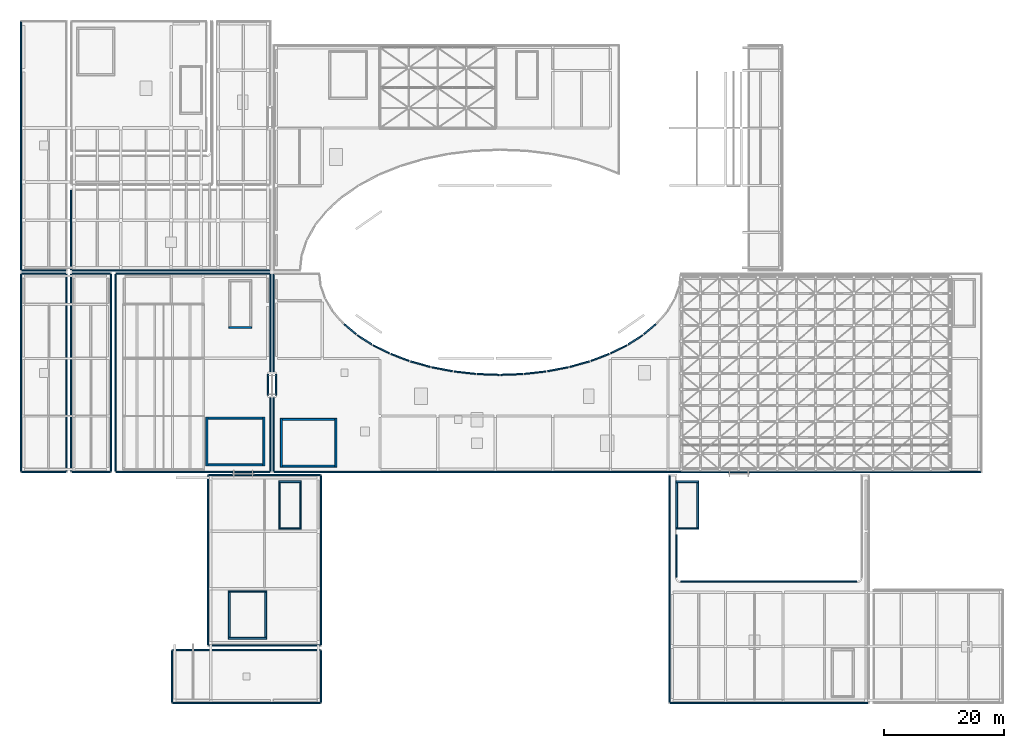
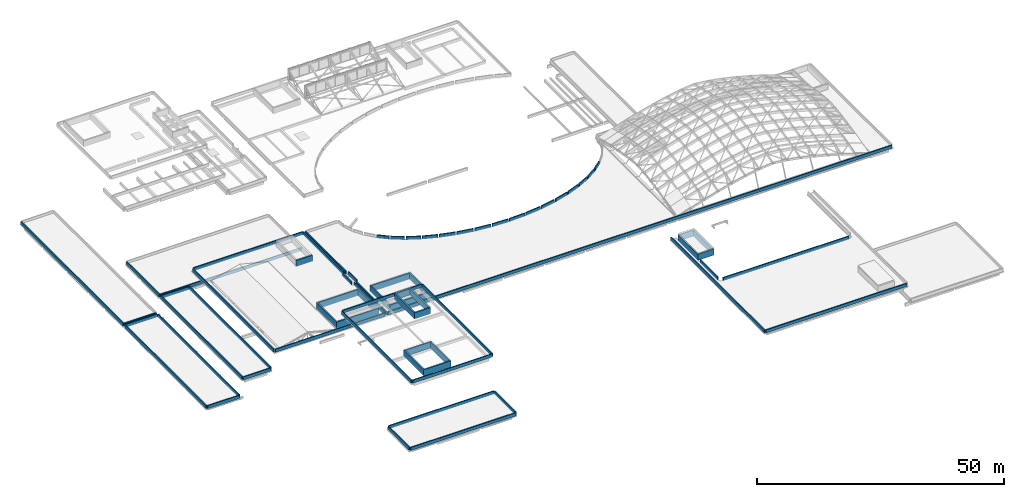
# One storey, part 37 of 40: 71 walls.
"""IFC4 building model written with IfcOpenShell, lengths in metres."""

from ifc_helpers import new_model, si_unit, direction, frame, frame_2d, origin, place, context, subcontext, project, spatial, rectangle, extrude, material, layer, layer_set, type_object, element, save


model = new_model("IFC4")

# Units and contexts
model_context = context("Model", 3, precision=1e-05, world=origin(), true_north=direction((0.0, 1.0)))
body_context = subcontext(model_context, "Body", "Model", "MODEL_VIEW")
ifc_project = project(units=[si_unit("LENGTHUNIT", "METRE"), si_unit("AREAUNIT", "SQUARE_METRE"), si_unit("VOLUMEUNIT", "CUBIC_METRE"), si_unit("PLANEANGLEUNIT", "RADIAN"), si_unit("MASSUNIT", "GRAM", prefix="KILO")], contexts=[model_context])

# Site, building, storey
site_placement = place(None, origin())
site = spatial("IfcSite", under=ifc_project, at=site_placement, CompositionType="ELEMENT")
building_placement = place(site_placement, origin())
building = spatial("IfcBuilding", under=site, at=building_placement, Name="Mzevani Central Library", CompositionType="ELEMENT")
storey_placement = place(building_placement, frame((0.0, 0.0, 26.699951171875)))
storey = spatial("IfcBuildingStorey", under=building, at=storey_placement, Name="RF", CompositionType="ELEMENT", Elevation=26.699951171875)

# Walls
ifc_material = material(Name="Precast concrete C40/50", Category="concrete")
ifc_layer_1 = layer(ifc_material, 0.320068359375, Name="Lift Overrun Shear Wall 320")
ifc_layer_set_1 = layer_set([ifc_layer_1], Name="Precast concrete C40/50")
wall_type_1 = type_object("IfcWallType", Name="Lift Overrun Shear Wall 320", PredefinedType="SHEAR", material=ifc_layer_set_1)
wall_1_placement = place(storey_placement, frame((56.800048828125, 43.64990234375, -12.89990234375), z_axis=(0.0, 0.0, 1.0), x_axis=(-1.0, 0.0, 0.0)))
element("IfcWall", 1, at=wall_1_placement, inside=storey, type_object=wall_type_1, Name="RF Core C1A Reading Hall West Overrun Headhouse Wall 1", PredefinedType="SHEAR", context=body_context, shape_type="SweptSolid", body=[
    extrude(rectangle(XDim=9.400146484375, YDim=0.320068359375, at=frame_2d((4.7001953125, 0.0))), origin(), (0.0, 0.0, 1.0), 1.5),
])
wall_2_placement = place(storey_placement, frame((47.550048828125, 43.5, -12.89990234375), z_axis=(0.0, 0.0, 1.0), x_axis=(0.0, 1.0, 0.0)))
element("IfcWall", 2, at=wall_2_placement, inside=storey, type_object=wall_type_1, Name="RF Core C1A Reading Hall West Overrun Headhouse Wall 2", PredefinedType="SHEAR", context=body_context, shape_type="SweptSolid", body=[
    extrude(rectangle(XDim=8.10009765625, YDim=0.320068359375, at=frame_2d((4.050048828125, 0.0))), origin(), (0.0, 0.0, 1.0), 1.5),
])
wall_3_placement = place(storey_placement, frame((47.39990234375, 51.449951171875, -12.89990234375), z_axis=(0.0, 0.0, 1.0), x_axis=(1.0, 0.0, 0.0)))
element("IfcWall", 3, at=wall_3_placement, inside=storey, type_object=wall_type_1, Name="RF Core C1A Reading Hall West Overrun Headhouse Wall 3", PredefinedType="SHEAR", context=body_context, shape_type="SweptSolid", body=[
    extrude(rectangle(XDim=9.400146484375, YDim=0.320068359375, at=frame_2d((4.7001953125, 0.0))), origin(), (0.0, 0.0, 1.0), 1.5),
])
wall_4_placement = place(storey_placement, frame((56.64990234375, 51.60009765625, -12.89990234375), z_axis=(0.0, 0.0, 1.0), x_axis=(0.0, -1.0, 0.0)))
element("IfcWall", 4, at=wall_4_placement, inside=storey, type_object=wall_type_1, Name="RF Core C1A Reading Hall West Overrun Headhouse Wall 4", PredefinedType="SHEAR", context=body_context, shape_type="SweptSolid", body=[
    extrude(rectangle(XDim=8.10009765625, YDim=0.320068359375, at=frame_2d((4.050048828125, 0.0))), origin(), (0.0, 0.0, 1.0), 1.5),
])
wall_5_placement = place(storey_placement, frame((45.10009765625, 14.949951171875, -8.39990234375), z_axis=(0.0, 0.0, 1.0), x_axis=(-1.0, 0.0, 0.0)))
element("IfcWall", 5, at=wall_5_placement, inside=storey, type_object=wall_type_1, Name="RF Core C4A Cultural Wing Core Overrun Headhouse Wall 1", PredefinedType="SHEAR", context=body_context, shape_type="SweptSolid", body=[
    extrude(rectangle(XDim=6.400146484375, YDim=0.320068359375, at=frame_2d((3.2001953125, 0.0))), origin(), (0.0, 0.0, 1.0), 1.5),
])
wall_6_placement = place(storey_placement, frame((38.85009765625, 14.800048828125, -8.39990234375), z_axis=(0.0, 0.0, 1.0), x_axis=(0.0, 1.0, 0.0)))
element("IfcWall", 6, at=wall_6_placement, inside=storey, type_object=wall_type_1, Name="RF Core C4A Cultural Wing Core Overrun Headhouse Wall 2", PredefinedType="SHEAR", context=body_context, shape_type="SweptSolid", body=[
    extrude(rectangle(XDim=8.099853515625, YDim=0.320068359375, at=frame_2d((4.0498046875, 0.0))), origin(), (0.0, 0.0, 1.0), 1.5),
])
wall_7_placement = place(storey_placement, frame((38.699951171875, 22.75, -8.39990234375), z_axis=(0.0, 0.0, 1.0), x_axis=(1.0, 0.0, 0.0)))
element("IfcWall", 7, at=wall_7_placement, inside=storey, type_object=wall_type_1, Name="RF Core C4A Cultural Wing Core Overrun Headhouse Wall 3", PredefinedType="SHEAR", context=body_context, shape_type="SweptSolid", body=[
    extrude(rectangle(XDim=6.400146484375, YDim=0.320068359375, at=frame_2d((3.2001953125, 0.0))), origin(), (0.0, 0.0, 1.0), 1.5),
])
wall_8_placement = place(storey_placement, frame((44.949951171875, 22.89990234375, -8.39990234375), z_axis=(0.0, 0.0, 1.0), x_axis=(0.0, -1.0, 0.0)))
element("IfcWall", 8, at=wall_8_placement, inside=storey, type_object=wall_type_1, Name="RF Core C4A Cultural Wing Core Overrun Headhouse Wall 4", PredefinedType="SHEAR", context=body_context, shape_type="SweptSolid", body=[
    extrude(rectangle(XDim=8.099853515625, YDim=0.320068359375, at=frame_2d((4.0498046875, 0.0))), origin(), (0.0, 0.0, 1.0), 1.5),
])
wall_9_placement = place(storey_placement, frame((50.89990234375, 33.25, -8.39990234375), z_axis=(0.0, 0.0, 1.0), x_axis=(-1.0, 0.0, 0.0)))
element("IfcWall", 9, at=wall_9_placement, inside=storey, type_object=wall_type_1, Name="RF Core C4B Square South Escape Stair Overrun Headhouse Wall 1", PredefinedType="SHEAR", context=body_context, shape_type="SweptSolid", body=[
    extrude(rectangle(XDim=3.7998046875, YDim=0.320068359375, at=frame_2d((1.89990234375, 0.0))), origin(), (0.0, 0.0, 1.0), 1.5),
])
wall_10_placement = place(storey_placement, frame((47.25, 33.10009765625, -8.39990234375), z_axis=(0.0, 0.0, 1.0), x_axis=(0.0, 1.0, 0.0)))
element("IfcWall", 10, at=wall_10_placement, inside=storey, type_object=wall_type_1, Name="RF Core C4B Square South Escape Stair Overrun Headhouse Wall 2", PredefinedType="SHEAR", context=body_context, shape_type="SweptSolid", body=[
    extrude(rectangle(XDim=8.099853515625, YDim=0.320068359375, at=frame_2d((4.0498046875, 0.0))), origin(), (0.0, 0.0, 1.0), 1.5),
])
wall_11_placement = place(storey_placement, frame((47.10009765625, 41.050048828125, -8.39990234375), z_axis=(0.0, 0.0, 1.0), x_axis=(1.0, 0.0, 0.0)))
element("IfcWall", 11, at=wall_11_placement, inside=storey, type_object=wall_type_1, Name="RF Core C4B Square South Escape Stair Overrun Headhouse Wall 3", PredefinedType="SHEAR", context=body_context, shape_type="SweptSolid", body=[
    extrude(rectangle(XDim=3.7998046875, YDim=0.320068359375, at=frame_2d((1.89990234375, 0.0))), origin(), (0.0, 0.0, 1.0), 1.5),
])
wall_12_placement = place(storey_placement, frame((50.75, 41.199951171875, -8.39990234375), z_axis=(0.0, 0.0, 1.0), x_axis=(0.0, -1.0, 0.0)))
element("IfcWall", 12, at=wall_12_placement, inside=storey, type_object=wall_type_1, Name="RF Core C4B Square South Escape Stair Overrun Headhouse Wall 4", PredefinedType="SHEAR", context=body_context, shape_type="SweptSolid", body=[
    extrude(rectangle(XDim=8.099853515625, YDim=0.320068359375, at=frame_2d((4.0498046875, 0.0))), origin(), (0.0, 0.0, 1.0), 1.5),
])
wall_13_placement = place(storey_placement, frame((44.800048828125, 43.85009765625, -12.89990234375), z_axis=(0.0, 0.0, 1.0), x_axis=(-1.0, 0.0, 0.0)))
element("IfcWall", 13, at=wall_13_placement, inside=storey, type_object=wall_type_1, Name="RF Core C5A Auditorium & Goods Core Overrun Headhouse Wall 1", PredefinedType="SHEAR", context=body_context, shape_type="SweptSolid", body=[
    extrude(rectangle(XDim=9.800048828125, YDim=0.320068359375, at=frame_2d((4.89990234375, 0.0))), origin(), (0.0, 0.0, 1.0), 1.5),
])
wall_14_placement = place(storey_placement, frame((35.14990234375, 43.699951171875, -12.89990234375), z_axis=(0.0, 0.0, 1.0), x_axis=(0.0, 1.0, 0.0)))
element("IfcWall", 14, at=wall_14_placement, inside=storey, type_object=wall_type_1, Name="RF Core C5A Auditorium & Goods Core Overrun Headhouse Wall 2", PredefinedType="SHEAR", context=body_context, shape_type="SweptSolid", body=[
    extrude(rectangle(XDim=8.10009765625, YDim=0.320068359375, at=frame_2d((4.050048828125, 0.0))), origin(), (0.0, 0.0, 1.0), 1.5),
])
wall_15_placement = place(storey_placement, frame((35.0, 51.64990234375, -12.89990234375), z_axis=(0.0, 0.0, 1.0), x_axis=(1.0, 0.0, 0.0)))
element("IfcWall", 15, at=wall_15_placement, inside=storey, type_object=wall_type_1, Name="RF Core C5A Auditorium & Goods Core Overrun Headhouse Wall 3", PredefinedType="SHEAR", context=body_context, shape_type="SweptSolid", body=[
    extrude(rectangle(XDim=9.800048828125, YDim=0.320068359375, at=frame_2d((4.89990234375, 0.0))), origin(), (0.0, 0.0, 1.0), 1.5),
])
wall_16_placement = place(storey_placement, frame((44.64990234375, 51.800048828125, -12.89990234375), z_axis=(0.0, 0.0, 1.0), x_axis=(0.0, -1.0, 0.0)))
element("IfcWall", 16, at=wall_16_placement, inside=storey, type_object=wall_type_1, Name="RF Core C5A Auditorium & Goods Core Overrun Headhouse Wall 4", PredefinedType="SHEAR", context=body_context, shape_type="SweptSolid", body=[
    extrude(rectangle(XDim=8.10009765625, YDim=0.320068359375, at=frame_2d((4.050048828125, 0.0))), origin(), (0.0, 0.0, 1.0), 1.5),
])
for number, where, z_axis, x_axis, name in (
    (17, (42.60009765625, 66.75, -12.89990234375), (0.0, 0.0, 1.0), (-1.0, 0.0, 0.0), "RF Core C5B Lecture North Escape Stair Overrun Headhouse Wall 1"),
    (18, (117.10009765625, 33.25, -17.099853515625), (0.0, 0.0, 1.0), (-1.0, 0.0, 0.0), "RF Core C6A Children's Pavilion North Stair Overrun Headhouse Wall 1"),
):
    element("IfcWall", number, at=place(storey_placement, frame(where, z_axis=z_axis, x_axis=x_axis)), inside=storey, type_object=wall_type_1, Name=name, PredefinedType="SHEAR", context=body_context, shape_type="SweptSolid", body=[
        extrude(rectangle(XDim=3.800048828125, YDim=0.320068359375, at=frame_2d((1.89990234375, 0.0))), origin(), (0.0, 0.0, 1.0), 1.5),
    ])
wall_17_placement = place(storey_placement, frame((113.449951171875, 33.10009765625, -17.099853515625), z_axis=(0.0, 0.0, 1.0), x_axis=(0.0, 1.0, 0.0)))
element("IfcWall", 19, at=wall_17_placement, inside=storey, type_object=wall_type_1, Name="RF Core C6A Children's Pavilion North Stair Overrun Headhouse Wall 2", PredefinedType="SHEAR", context=body_context, shape_type="SweptSolid", body=[
    extrude(rectangle(XDim=8.099853515625, YDim=0.320068359375, at=frame_2d((4.0498046875, 0.0))), origin(), (0.0, 0.0, 1.0), 1.5),
])
wall_18_placement = place(storey_placement, frame((113.300048828125, 41.050048828125, -17.099853515625), z_axis=(0.0, 0.0, 1.0), x_axis=(1.0, 0.0, 0.0)))
element("IfcWall", 20, at=wall_18_placement, inside=storey, type_object=wall_type_1, Name="RF Core C6A Children's Pavilion North Stair Overrun Headhouse Wall 3", PredefinedType="SHEAR", context=body_context, shape_type="SweptSolid", body=[
    extrude(rectangle(XDim=3.800048828125, YDim=0.320068359375, at=frame_2d((1.89990234375, 0.0))), origin(), (0.0, 0.0, 1.0), 1.5),
])
wall_19_placement = place(storey_placement, frame((116.949951171875, 41.199951171875, -17.099853515625), z_axis=(0.0, 0.0, 1.0), x_axis=(0.0, -1.0, 0.0)))
element("IfcWall", 21, at=wall_19_placement, inside=storey, type_object=wall_type_1, Name="RF Core C6A Children's Pavilion North Stair Overrun Headhouse Wall 4", PredefinedType="SHEAR", context=body_context, shape_type="SweptSolid", body=[
    extrude(rectangle(XDim=8.099853515625, YDim=0.320068359375, at=frame_2d((4.0498046875, 0.0))), origin(), (0.0, 0.0, 1.0), 1.5),
])
ifc_layer_2 = layer(ifc_material, 0.25, Name="Roof Parapet Wall 250")
ifc_layer_set_2 = layer_set([ifc_layer_2], Name="Precast concrete C40/50")
wall_type_2 = type_object("IfcWallType", Name="Roof Parapet Wall 250", PredefinedType="PARAPET", material=ifc_layer_set_2)
wall_20_placement = place(storey_placement, frame((58.041748046875, 67.30419921875, -12.89990234375), z_axis=(0.0, 0.0, 1.0), x_axis=(0.762434144456, -0.647065819966, 0.0)))
element("IfcWall", 22, at=wall_20_placement, inside=storey, type_object=wall_type_2, Name="RF V1 Roof Parapet Wall (3)", PredefinedType="PARAPET", context=body_context, shape_type="SweptSolid", body=[
    extrude(rectangle(XDim=2.57958984375, YDim=0.25, at=frame_2d((1.289794921875, 0.0))), origin(), (0.0, 0.0, 1.0), 0.75),
])
wall_21_placement = place(storey_placement, frame((60.246337890625, 65.45849609375, -12.89990234375), z_axis=(0.0, 0.0, 1.0), x_axis=(0.839745487745, -0.542980216778, 0.0)))
element("IfcWall", 23, at=wall_21_placement, inside=storey, type_object=wall_type_2, Name="RF V1 Roof Parapet Wall (4)", PredefinedType="PARAPET", context=body_context, shape_type="SweptSolid", body=[
    extrude(rectangle(XDim=2.80126953125, YDim=0.25, at=frame_2d((1.400634765625, 0.0))), origin(), (0.0, 0.0, 1.0), 0.75),
])
wall_22_placement = place(storey_placement, frame((62.854248046875, 63.791748046875, -12.89990234375), z_axis=(0.0, 0.0, 1.0), x_axis=(0.895396752907, -0.445269193727, 0.0)))
element("IfcWall", 24, at=wall_22_placement, inside=storey, type_object=wall_type_2, Name="RF V1 Roof Parapet Wall (5)", PredefinedType="PARAPET", context=body_context, shape_type="SweptSolid", body=[
    extrude(rectangle(XDim=3.01513671875, YDim=0.25, at=frame_2d((1.507568359375, 0.0))), origin(), (0.0, 0.0, 1.0), 0.75),
])
wall_23_placement = place(storey_placement, frame((65.822021484375, 62.33203125, -12.89990234375), z_axis=(0.0, 0.0, 1.0), x_axis=(0.935110562843, -0.354356085399, 0.0)))
element("IfcWall", 25, at=wall_23_placement, inside=storey, type_object=wall_type_2, Name="RF V1 Roof Parapet Wall (6)", PredefinedType="PARAPET", context=body_context, shape_type="SweptSolid", body=[
    extrude(rectangle(XDim=3.209228515625, YDim=0.25, at=frame_2d((1.6044921875, 0.0))), origin(), (0.0, 0.0, 1.0), 0.75),
])
wall_24_placement = place(storey_placement, frame((69.099853515625, 61.10400390625, -12.89990234375), z_axis=(0.0, 0.0, 1.0), x_axis=(0.963059389253, -0.269289087732, 0.0)))
element("IfcWall", 26, at=wall_24_placement, inside=storey, type_object=wall_type_2, Name="RF V1 Roof Parapet Wall (7)", PredefinedType="PARAPET", context=body_context, shape_type="SweptSolid", body=[
    extrude(rectangle(XDim=3.37451171875, YDim=0.25, at=frame_2d((1.687255859375, 0.0))), origin(), (0.0, 0.0, 1.0), 0.75),
])
wall_25_placement = place(storey_placement, frame((72.63232421875, 60.128662109375, -12.89990234375), z_axis=(0.0, 0.0, 1.0), x_axis=(0.981975127461, -0.189010182391, 0.0)))
element("IfcWall", 27, at=wall_25_placement, inside=storey, type_object=wall_type_2, Name="RF V1 Roof Parapet Wall (8)", PredefinedType="PARAPET", context=body_context, shape_type="SweptSolid", body=[
    extrude(rectangle(XDim=3.50439453125, YDim=0.25, at=frame_2d((1.752197265625, 0.0))), origin(), (0.0, 0.0, 1.0), 0.75),
])
wall_26_placement = place(storey_placement, frame((76.35986328125, 59.422607421875, -12.89990234375), z_axis=(0.0, 0.0, 1.0), x_axis=(0.993695883818, -0.1121092792, 0.0)))
element("IfcWall", 28, at=wall_26_placement, inside=storey, type_object=wall_type_2, Name="RF V1 Roof Parapet Wall (9)", PredefinedType="PARAPET", context=body_context, shape_type="SweptSolid", body=[
    extrude(rectangle(XDim=3.59326171875, YDim=0.25, at=frame_2d((1.796630859375, 0.0))), origin(), (0.0, 0.0, 1.0), 0.75),
])
for number, where, z_axis, x_axis, name in (
    (29, (80.21923828125, 58.998046875, -12.89990234375), (0.0, 0.0, 1.0), (0.999311336471, -0.03710596717, 0.0), "RF V1 Roof Parapet Wall (10)"),
    (30, (84.144775390625, 58.863037109375, -12.89990234375), (0.0, 0.0, 1.0), (0.999311336471, 0.03710596717, 0.0), "RF V1 Roof Parapet Wall (11)"),
):
    element("IfcWall", number, at=place(storey_placement, frame(where, z_axis=z_axis, x_axis=x_axis)), inside=storey, type_object=wall_type_2, Name=name, PredefinedType="PARAPET", context=body_context, shape_type="SweptSolid", body=[
        extrude(rectangle(XDim=3.638427734375, YDim=0.25, at=frame_2d((1.8193359375, 0.0))), origin(), (0.0, 0.0, 1.0), 0.75),
    ])
wall_27_placement = place(storey_placement, frame((88.069580078125, 59.019775390625, -12.89990234375), z_axis=(0.0, 0.0, 1.0), x_axis=(0.993695883818, 0.1121092792, 0.0)))
element("IfcWall", 31, at=wall_27_placement, inside=storey, type_object=wall_type_2, Name="RF V1 Roof Parapet Wall (12)", PredefinedType="PARAPET", context=body_context, shape_type="SweptSolid", body=[
    extrude(rectangle(XDim=3.59326171875, YDim=0.25, at=frame_2d((1.796630859375, 0.0))), origin(), (0.0, 0.0, 1.0), 0.75),
])
wall_28_placement = place(storey_placement, frame((91.926513671875, 59.46630859375, -12.89990234375), z_axis=(0.0, 0.0, 1.0), x_axis=(0.981975127461, 0.189010182391, 0.0)))
element("IfcWall", 32, at=wall_28_placement, inside=storey, type_object=wall_type_2, Name="RF V1 Roof Parapet Wall (13)", PredefinedType="PARAPET", context=body_context, shape_type="SweptSolid", body=[
    extrude(rectangle(XDim=3.50439453125, YDim=0.25, at=frame_2d((1.752197265625, 0.0))), origin(), (0.0, 0.0, 1.0), 0.75),
])
wall_29_placement = place(storey_placement, frame((95.650390625, 60.1953125, -12.89990234375), z_axis=(0.0, 0.0, 1.0), x_axis=(0.963059389253, 0.269289087732, 0.0)))
element("IfcWall", 33, at=wall_29_placement, inside=storey, type_object=wall_type_2, Name="RF V1 Roof Parapet Wall (14)", PredefinedType="PARAPET", context=body_context, shape_type="SweptSolid", body=[
    extrude(rectangle(XDim=3.37451171875, YDim=0.25, at=frame_2d((1.687255859375, 0.0))), origin(), (0.0, 0.0, 1.0), 0.75),
])
wall_30_placement = place(storey_placement, frame((99.177001953125, 61.19482421875, -12.89990234375), z_axis=(0.0, 0.0, 1.0), x_axis=(0.935110562843, 0.354356085399, 0.0)))
element("IfcWall", 34, at=wall_30_placement, inside=storey, type_object=wall_type_2, Name="RF V1 Roof Parapet Wall (15)", PredefinedType="PARAPET", context=body_context, shape_type="SweptSolid", body=[
    extrude(rectangle(XDim=3.209228515625, YDim=0.25, at=frame_2d((1.6044921875, 0.0))), origin(), (0.0, 0.0, 1.0), 0.75),
])
wall_31_placement = place(storey_placement, frame((102.446044921875, 62.44921875, -12.89990234375), z_axis=(0.0, 0.0, 1.0), x_axis=(0.895396752907, 0.445269193727, 0.0)))
element("IfcWall", 35, at=wall_31_placement, inside=storey, type_object=wall_type_2, Name="RF V1 Roof Parapet Wall (16)", PredefinedType="PARAPET", context=body_context, shape_type="SweptSolid", body=[
    extrude(rectangle(XDim=3.01513671875, YDim=0.25, at=frame_2d((1.507568359375, 0.0))), origin(), (0.0, 0.0, 1.0), 0.75),
])
wall_32_placement = place(storey_placement, frame((105.4013671875, 63.9375, -12.89990234375), z_axis=(0.0, 0.0, 1.0), x_axis=(0.839745487745, 0.542980216778, 0.0)))
element("IfcWall", 36, at=wall_32_placement, inside=storey, type_object=wall_type_2, Name="RF V1 Roof Parapet Wall (17)", PredefinedType="PARAPET", context=body_context, shape_type="SweptSolid", body=[
    extrude(rectangle(XDim=2.80126953125, YDim=0.25, at=frame_2d((1.400634765625, 0.0))), origin(), (0.0, 0.0, 1.0), 0.75),
])
wall_33_placement = place(storey_placement, frame((107.991455078125, 65.635009765625, -12.89990234375), z_axis=(0.0, 0.0, 1.0), x_axis=(0.762434144456, 0.647065819966, 0.0)))
element("IfcWall", 37, at=wall_33_placement, inside=storey, type_object=wall_type_2, Name="RF V1 Roof Parapet Wall (18)", PredefinedType="PARAPET", context=body_context, shape_type="SweptSolid", body=[
    extrude(rectangle(XDim=2.57958984375, YDim=0.25, at=frame_2d((1.289794921875, 0.0))), origin(), (0.0, 0.0, 1.0), 0.75),
])
wall_34_placement = place(storey_placement, frame((164.1298828125, 42.6298828125, -12.89990234375), z_axis=(0.0, 0.0, 1.0), x_axis=(-1.0, 0.0, 0.0)))
element("IfcWall", 38, at=wall_34_placement, inside=storey, type_object=wall_type_2, Name="RF V1 Roof Parapet Wall (25)", PredefinedType="PARAPET", context=body_context, shape_type="SweptSolid", body=[
    extrude(rectangle(XDim=117.759765625, YDim=0.25, at=frame_2d((58.8798828125, 0.0))), origin(), (0.0, 0.0, 1.0), 0.75),
])
wall_35_placement = place(storey_placement, frame((46.22998046875, 42.77001953125, -12.89990234375), z_axis=(0.0, 0.0, 1.0), x_axis=(0.0, 1.0, 0.0)))
element("IfcWall", 39, at=wall_35_placement, inside=storey, type_object=wall_type_2, Name="RF V1 Roof Parapet Wall (26)", PredefinedType="PARAPET", context=body_context, shape_type="SweptSolid", body=[
    extrude(rectangle(XDim=12.280029296875, YDim=0.25, at=frame_2d((6.14013671875, 0.0))), origin(), (0.0, 0.0, 1.0), 0.75),
])
wall_36_placement = place(storey_placement, frame((46.64990234375, 55.4599609375, -12.89990234375), z_axis=(0.0, 0.0, 1.0), x_axis=(0.0, 1.0, 0.0)))
element("IfcWall", 40, at=wall_36_placement, inside=storey, type_object=wall_type_2, Name="RF V1 Roof Parapet Wall (27)", PredefinedType="PARAPET", context=body_context, shape_type="SweptSolid", body=[
    extrude(rectangle(XDim=3.47998046875, YDim=0.25, at=frame_2d((1.739990234375, 0.0))), origin(), (0.0, 0.0, 1.0), 0.75),
])
wall_37_placement = place(storey_placement, frame((46.22998046875, 59.35009765625, -12.89990234375), z_axis=(0.0, 0.0, 1.0), x_axis=(0.0, 1.0, 0.0)))
element("IfcWall", 41, at=wall_37_placement, inside=storey, type_object=wall_type_2, Name="RF V1 Roof Parapet Wall (28)", PredefinedType="PARAPET", context=body_context, shape_type="SweptSolid", body=[
    extrude(rectangle(XDim=16.27978515625, YDim=0.25, at=frame_2d((8.139892578125, 0.0))), origin(), (0.0, 0.0, 1.0), 0.75),
])
wall_38_placement = place(storey_placement, frame((4.1298828125, 76.3701171875, -21.300048828125), z_axis=(0.0, 0.0, 1.0), x_axis=(0.0, 1.0, 0.0)))
element("IfcWall", 42, at=wall_38_placement, inside=storey, type_object=wall_type_2, Name="RF V2 Roof Parapet Wall (32)", PredefinedType="PARAPET", context=body_context, shape_type="SweptSolid", body=[
    extrude(rectangle(XDim=41.35986328125, YDim=0.25, at=frame_2d((20.679931640625, 0.0))), origin(), (0.0, 0.0, 1.0), 0.75),
])
wall_39_placement = place(storey_placement, frame((11.64990234375, 76.22998046875, -21.300048828125), z_axis=(0.0, 0.0, 1.0), x_axis=(-1.0, 0.0, 0.0)))
element("IfcWall", 43, at=wall_39_placement, inside=storey, type_object=wall_type_2, Name="RF V2 Roof Parapet Wall (35)", PredefinedType="PARAPET", context=body_context, shape_type="SweptSolid", body=[
    extrude(rectangle(XDim=7.3798828125, YDim=0.25, at=frame_2d((3.68994140625, 0.0))), origin(), (0.0, 0.0, 1.0), 0.75),
])
wall_40_placement = place(storey_placement, frame((45.6298828125, 76.22998046875, -17.099853515625), z_axis=(0.0, 0.0, 1.0), x_axis=(-1.0, 0.0, 0.0)))
element("IfcWall", 44, at=wall_40_placement, inside=storey, type_object=wall_type_2, Name="RF V2 Roof Parapet Wall (38)", PredefinedType="PARAPET", context=body_context, shape_type="SweptSolid", body=[
    extrude(rectangle(XDim=32.9599609375, YDim=0.25, at=frame_2d((16.47998046875, 0.0))), origin(), (0.0, 0.0, 1.0), 0.75),
])
wall_41_placement = place(storey_placement, frame((12.530029296875, 76.3701171875, -17.099853515625), z_axis=(0.0, 0.0, 1.0), x_axis=(0.0, 1.0, 0.0)))
element("IfcWall", 45, at=wall_41_placement, inside=storey, type_object=wall_type_2, Name="RF V2 Roof Parapet Wall (39)", PredefinedType="PARAPET", context=body_context, shape_type="SweptSolid", body=[
    extrude(rectangle(XDim=13.27978515625, YDim=0.25, at=frame_2d((6.639892578125, 0.0))), origin(), (0.0, 0.0, 1.0), 0.75),
])
wall_42_placement = place(storey_placement, frame((29.469970703125, 12.989990234375, -17.099853515625), z_axis=(0.0, 0.0, 1.0), x_axis=(1.0, 0.0, 0.0)))
element("IfcWall", 46, at=wall_42_placement, inside=storey, type_object=wall_type_2, Name="RF V4 Roof Parapet Wall (81)", PredefinedType="PARAPET", context=body_context, shape_type="SweptSolid", body=[
    extrude(rectangle(XDim=24.56005859375, YDim=0.25, at=frame_2d((12.280029296875, 0.0))), origin(), (0.0, 0.0, 1.0), 0.75),
])
wall_43_placement = place(storey_placement, frame((54.169921875, 12.85009765625, -17.099853515625), z_axis=(0.0, 0.0, 1.0), x_axis=(0.0, -1.0, 0.0)))
element("IfcWall", 47, at=wall_43_placement, inside=storey, type_object=wall_type_2, Name="RF V4 Roof Parapet Wall (82)", PredefinedType="PARAPET", context=body_context, shape_type="SweptSolid", body=[
    extrude(rectangle(XDim=8.580078125, YDim=0.25, at=frame_2d((4.2900390625, 0.0))), origin(), (0.0, 0.0, 1.0), 0.75),
])
wall_44_placement = place(storey_placement, frame((54.030029296875, 4.1298828125, -17.099853515625), z_axis=(0.0, 0.0, 1.0), x_axis=(-1.0, 0.0, 0.0)))
element("IfcWall", 48, at=wall_44_placement, inside=storey, type_object=wall_type_2, Name="RF V4 Roof Parapet Wall (83)", PredefinedType="PARAPET", context=body_context, shape_type="SweptSolid", body=[
    extrude(rectangle(XDim=24.56005859375, YDim=0.25, at=frame_2d((12.280029296875, 0.0))), origin(), (0.0, 0.0, 1.0), 0.75),
])
wall_45_placement = place(storey_placement, frame((29.330078125, 4.27001953125, -17.099853515625), z_axis=(0.0, 0.0, 1.0), x_axis=(0.0, 1.0, 0.0)))
element("IfcWall", 49, at=wall_45_placement, inside=storey, type_object=wall_type_2, Name="RF V4 Roof Parapet Wall (84)", PredefinedType="PARAPET", context=body_context, shape_type="SweptSolid", body=[
    extrude(rectangle(XDim=8.580078125, YDim=0.25, at=frame_2d((4.2900390625, 0.0))), origin(), (0.0, 0.0, 1.0), 0.75),
])
wall_46_placement = place(storey_placement, frame((35.469970703125, 42.169921875, -8.39990234375), z_axis=(0.0, 0.0, 1.0), x_axis=(1.0, 0.0, 0.0)))
element("IfcWall", 50, at=wall_46_placement, inside=storey, type_object=wall_type_2, Name="RF V4 Roof Parapet Wall (85)", PredefinedType="PARAPET", context=body_context, shape_type="SweptSolid", body=[
    extrude(rectangle(XDim=18.56005859375, YDim=0.25, at=frame_2d((9.280029296875, 0.0))), origin(), (0.0, 0.0, 1.0), 0.75),
])
wall_47_placement = place(storey_placement, frame((54.169921875, 42.030029296875, -8.39990234375), z_axis=(0.0, 0.0, 1.0), x_axis=(0.0, -1.0, 0.0)))
element("IfcWall", 51, at=wall_47_placement, inside=storey, type_object=wall_type_2, Name="RF V4 Roof Parapet Wall (86)", PredefinedType="PARAPET", context=body_context, shape_type="SweptSolid", body=[
    extrude(rectangle(XDim=28.159912109375, YDim=0.25, at=frame_2d((14.080078125, 0.0))), origin(), (0.0, 0.0, 1.0), 0.75),
])
wall_48_placement = place(storey_placement, frame((54.030029296875, 13.72998046875, -8.39990234375), z_axis=(0.0, 0.0, 1.0), x_axis=(-1.0, 0.0, 0.0)))
element("IfcWall", 52, at=wall_48_placement, inside=storey, type_object=wall_type_2, Name="RF V4 Roof Parapet Wall (87)", PredefinedType="PARAPET", context=body_context, shape_type="SweptSolid", body=[
    extrude(rectangle(XDim=18.56005859375, YDim=0.25, at=frame_2d((9.280029296875, 0.0))), origin(), (0.0, 0.0, 1.0), 0.75),
])
wall_49_placement = place(storey_placement, frame((35.330078125, 13.8701171875, -8.39990234375), z_axis=(0.0, 0.0, 1.0), x_axis=(0.0, 1.0, 0.0)))
element("IfcWall", 53, at=wall_49_placement, inside=storey, type_object=wall_type_2, Name="RF V4 Roof Parapet Wall (88)", PredefinedType="PARAPET", context=body_context, shape_type="SweptSolid", body=[
    extrude(rectangle(XDim=28.159912109375, YDim=0.25, at=frame_2d((14.080078125, 0.0))), origin(), (0.0, 0.0, 1.0), 0.75),
])
wall_50_placement = place(storey_placement, frame((4.1298828125, 42.77001953125, -21.300048828125), z_axis=(0.0, 0.0, 1.0), x_axis=(0.0, 1.0, 0.0)))
element("IfcWall", 54, at=wall_50_placement, inside=storey, type_object=wall_type_2, Name="RF V5 Roof Parapet Wall (89)", PredefinedType="PARAPET", context=body_context, shape_type="SweptSolid", body=[
    extrude(rectangle(XDim=32.85986328125, YDim=0.25, at=frame_2d((16.429931640625, 0.0))), origin(), (0.0, 0.0, 1.0), 0.75),
])
wall_51_placement = place(storey_placement, frame((4.27001953125, 75.77001953125, -21.300048828125), z_axis=(0.0, 0.0, 1.0), x_axis=(1.0, 0.0, 0.0)))
element("IfcWall", 55, at=wall_51_placement, inside=storey, type_object=wall_type_2, Name="RF V5 Roof Parapet Wall (90)", PredefinedType="PARAPET", context=body_context, shape_type="SweptSolid", body=[
    extrude(rectangle(XDim=7.3798828125, YDim=0.25, at=frame_2d((3.68994140625, 0.0))), origin(), (0.0, 0.0, 1.0), 0.75),
])
wall_52_placement = place(storey_placement, frame((11.7900390625, 75.6298828125, -21.300048828125), z_axis=(0.0, 0.0, 1.0), x_axis=(0.0, -1.0, 0.0)))
element("IfcWall", 56, at=wall_52_placement, inside=storey, type_object=wall_type_2, Name="RF V5 Roof Parapet Wall (91)", PredefinedType="PARAPET", context=body_context, shape_type="SweptSolid", body=[
    extrude(rectangle(XDim=32.85986328125, YDim=0.25, at=frame_2d((16.429931640625, 0.0))), origin(), (0.0, 0.0, 1.0), 0.75),
])
wall_53_placement = place(storey_placement, frame((11.64990234375, 42.6298828125, -21.300048828125), z_axis=(0.0, 0.0, 1.0), x_axis=(-1.0, 0.0, 0.0)))
element("IfcWall", 57, at=wall_53_placement, inside=storey, type_object=wall_type_2, Name="RF V5 Roof Parapet Wall (92)", PredefinedType="PARAPET", context=body_context, shape_type="SweptSolid", body=[
    extrude(rectangle(XDim=7.3798828125, YDim=0.25, at=frame_2d((3.68994140625, 0.0))), origin(), (0.0, 0.0, 1.0), 0.75),
])
wall_54_placement = place(storey_placement, frame((19.050048828125, 42.6298828125, -17.099853515625), z_axis=(0.0, 0.0, 1.0), x_axis=(-1.0, 0.0, 0.0)))
element("IfcWall", 58, at=wall_54_placement, inside=storey, type_object=wall_type_2, Name="RF V5 Roof Parapet Wall (93)", PredefinedType="PARAPET", context=body_context, shape_type="SweptSolid", body=[
    extrude(rectangle(XDim=6.380126953125, YDim=0.25, at=frame_2d((3.18994140625, 0.0))), origin(), (0.0, 0.0, 1.0), 0.75),
])
wall_55_placement = place(storey_placement, frame((12.530029296875, 42.77001953125, -17.099853515625), z_axis=(0.0, 0.0, 1.0), x_axis=(0.0, 1.0, 0.0)))
element("IfcWall", 59, at=wall_55_placement, inside=storey, type_object=wall_type_2, Name="RF V5 Roof Parapet Wall (94)", PredefinedType="PARAPET", context=body_context, shape_type="SweptSolid", body=[
    extrude(rectangle(XDim=32.85986328125, YDim=0.25, at=frame_2d((16.429931640625, 0.0))), origin(), (0.0, 0.0, 1.0), 0.75),
])
wall_56_placement = place(storey_placement, frame((12.669921875, 75.77001953125, -17.099853515625), z_axis=(0.0, 0.0, 1.0), x_axis=(1.0, 0.0, 0.0)))
element("IfcWall", 60, at=wall_56_placement, inside=storey, type_object=wall_type_2, Name="RF V5 Roof Parapet Wall (95)", PredefinedType="PARAPET", context=body_context, shape_type="SweptSolid", body=[
    extrude(rectangle(XDim=6.380126953125, YDim=0.25, at=frame_2d((3.18994140625, 0.0))), origin(), (0.0, 0.0, 1.0), 0.75),
])
wall_57_placement = place(storey_placement, frame((19.18994140625, 75.6298828125, -17.099853515625), z_axis=(0.0, 0.0, 1.0), x_axis=(0.0, -1.0, 0.0)))
element("IfcWall", 61, at=wall_57_placement, inside=storey, type_object=wall_type_2, Name="RF V5 Roof Parapet Wall (96)", PredefinedType="PARAPET", context=body_context, shape_type="SweptSolid", body=[
    extrude(rectangle(XDim=32.85986328125, YDim=0.25, at=frame_2d((16.429931640625, 0.0))), origin(), (0.0, 0.0, 1.0), 0.75),
])
wall_58_placement = place(storey_placement, frame((45.77001953125, 55.050048828125, -12.89990234375), z_axis=(0.0, 0.0, 1.0), x_axis=(0.0, -1.0, 0.0)))
element("IfcWall", 62, at=wall_58_placement, inside=storey, type_object=wall_type_2, Name="RF V5 Roof Parapet Wall (97)", PredefinedType="PARAPET", context=body_context, shape_type="SweptSolid", body=[
    extrude(rectangle(XDim=12.280029296875, YDim=0.25, at=frame_2d((6.14013671875, 0.0))), origin(), (0.0, 0.0, 1.0), 0.75),
])
wall_59_placement = place(storey_placement, frame((45.6298828125, 42.6298828125, -12.89990234375), z_axis=(0.0, 0.0, 1.0), x_axis=(-1.0, 0.0, 0.0)))
element("IfcWall", 63, at=wall_59_placement, inside=storey, type_object=wall_type_2, Name="RF V5 Roof Parapet Wall (98)", PredefinedType="PARAPET", context=body_context, shape_type="SweptSolid", body=[
    extrude(rectangle(XDim=25.559814453125, YDim=0.25, at=frame_2d((12.77978515625, 0.0))), origin(), (0.0, 0.0, 1.0), 0.75),
])
wall_60_placement = place(storey_placement, frame((19.929931640625, 42.77001953125, -12.89990234375), z_axis=(0.0, 0.0, 1.0), x_axis=(0.0, 1.0, 0.0)))
element("IfcWall", 64, at=wall_60_placement, inside=storey, type_object=wall_type_2, Name="RF V5 Roof Parapet Wall (99)", PredefinedType="PARAPET", context=body_context, shape_type="SweptSolid", body=[
    extrude(rectangle(XDim=32.85986328125, YDim=0.25, at=frame_2d((16.429931640625, 0.0))), origin(), (0.0, 0.0, 1.0), 0.75),
])
wall_61_placement = place(storey_placement, frame((20.070068359375, 75.77001953125, -12.89990234375), z_axis=(0.0, 0.0, 1.0), x_axis=(1.0, 0.0, 0.0)))
element("IfcWall", 65, at=wall_61_placement, inside=storey, type_object=wall_type_2, Name="RF V5 Roof Parapet Wall (100)", PredefinedType="PARAPET", context=body_context, shape_type="SweptSolid", body=[
    extrude(rectangle(XDim=25.559814453125, YDim=0.25, at=frame_2d((12.77978515625, 0.0))), origin(), (0.0, 0.0, 1.0), 0.75),
])
wall_62_placement = place(storey_placement, frame((45.77001953125, 75.6298828125, -12.89990234375), z_axis=(0.0, 0.0, 1.0), x_axis=(0.0, -1.0, 0.0)))
element("IfcWall", 66, at=wall_62_placement, inside=storey, type_object=wall_type_2, Name="RF V5 Roof Parapet Wall (101)", PredefinedType="PARAPET", context=body_context, shape_type="SweptSolid", body=[
    extrude(rectangle(XDim=16.27978515625, YDim=0.25, at=frame_2d((8.139892578125, 0.0))), origin(), (0.0, 0.0, 1.0), 0.75),
])
wall_63_placement = place(storey_placement, frame((45.35009765625, 58.93994140625, -12.89990234375), z_axis=(0.0, 0.0, 1.0), x_axis=(0.0, -1.0, 0.0)))
element("IfcWall", 67, at=wall_63_placement, inside=storey, type_object=wall_type_2, Name="RF V5 Roof Parapet Wall (102)", PredefinedType="PARAPET", context=body_context, shape_type="SweptSolid", body=[
    extrude(rectangle(XDim=3.47998046875, YDim=0.25, at=frame_2d((1.739990234375, 0.0))), origin(), (0.0, 0.0, 1.0), 0.75),
])
wall_64_placement = place(storey_placement, frame((114.139892578125, 24.389892578125, -17.099853515625), z_axis=(0.0, 0.0, 1.0), x_axis=(1.0, 0.0, 0.0)))
element("IfcWall", 68, at=wall_64_placement, inside=storey, type_object=wall_type_2, Name="RF V6 Roof Parapet Wall (107)", PredefinedType="PARAPET", context=body_context, shape_type="SweptSolid", body=[
    extrude(rectangle(XDim=29.320068359375, YDim=0.25, at=frame_2d((14.66015625, 0.0))), origin(), (0.0, 0.0, 1.0), 0.75),
])
wall_65_placement = place(storey_placement, frame((145.330078125, 4.1298828125, -17.099853515625), z_axis=(0.0, 0.0, 1.0), x_axis=(-1.0, 0.0, 0.0)))
element("IfcWall", 69, at=wall_65_placement, inside=storey, type_object=wall_type_2, Name="RF V6 Roof Parapet Wall (110)", PredefinedType="PARAPET", context=body_context, shape_type="SweptSolid", body=[
    extrude(rectangle(XDim=32.9599609375, YDim=0.25, at=frame_2d((16.47998046875, 0.0))), origin(), (0.0, 0.0, 1.0), 0.75),
])
wall_66_placement = place(storey_placement, frame((112.22998046875, 4.27001953125, -17.099853515625), z_axis=(0.0, 0.0, 1.0), x_axis=(0.0, 1.0, 0.0)))
element("IfcWall", 70, at=wall_66_placement, inside=storey, type_object=wall_type_2, Name="RF V6 Roof Parapet Wall (111)", PredefinedType="PARAPET", context=body_context, shape_type="SweptSolid", body=[
    extrude(rectangle(XDim=37.760009765625, YDim=0.25, at=frame_2d((18.8798828125, 0.0))), origin(), (0.0, 0.0, 1.0), 0.75),
])
wall_67_placement = place(storey_placement, frame((113.389892578125, 32.2099609375, -17.099853515625), z_axis=(0.0, 0.0, 1.0), x_axis=(0.0, -1.0, 0.0)))
element("IfcWall", 71, at=wall_67_placement, inside=storey, type_object=wall_type_2, Name="RF V6 Roof Parapet Wall (112)", PredefinedType="PARAPET", context=body_context, shape_type="SweptSolid", body=[
    extrude(rectangle(XDim=7.070068359375, YDim=0.25, at=frame_2d((3.53515625, 0.0))), origin(), (0.0, 0.0, 1.0), 0.75),
])

save(model, "model.ifc")
